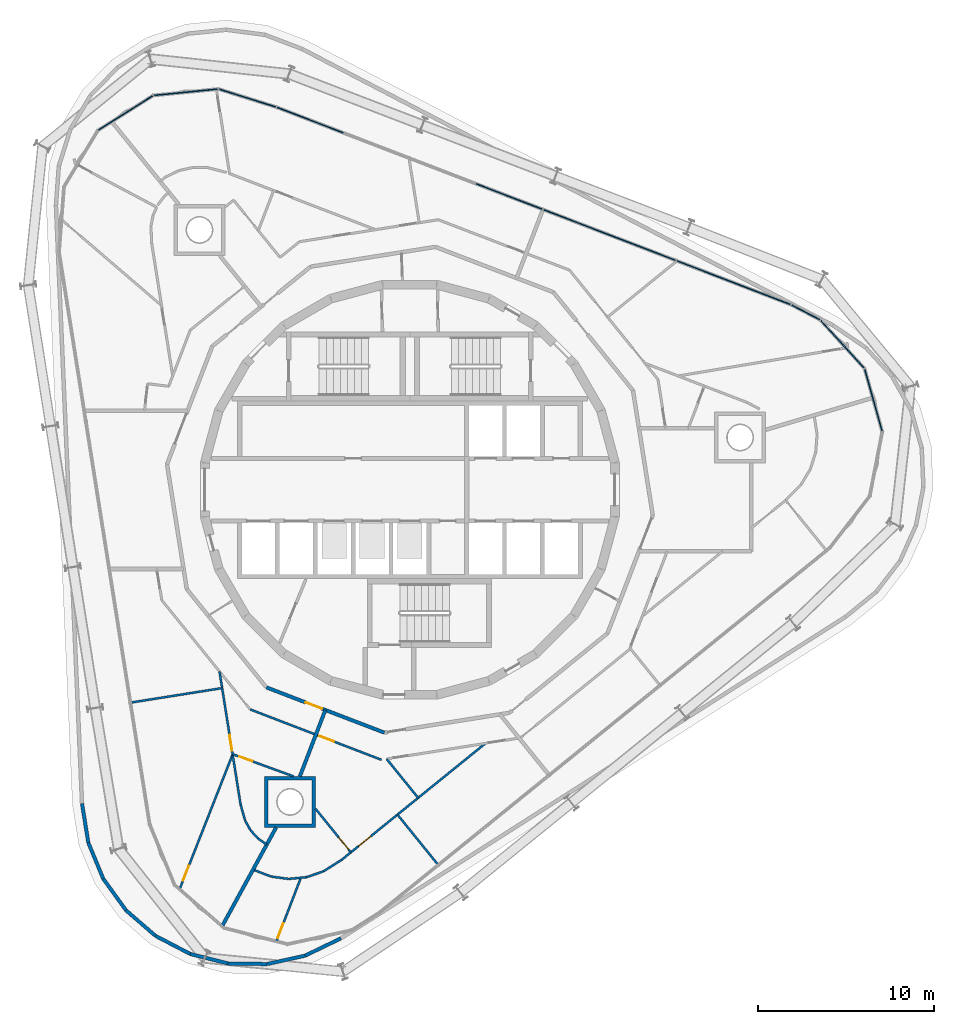
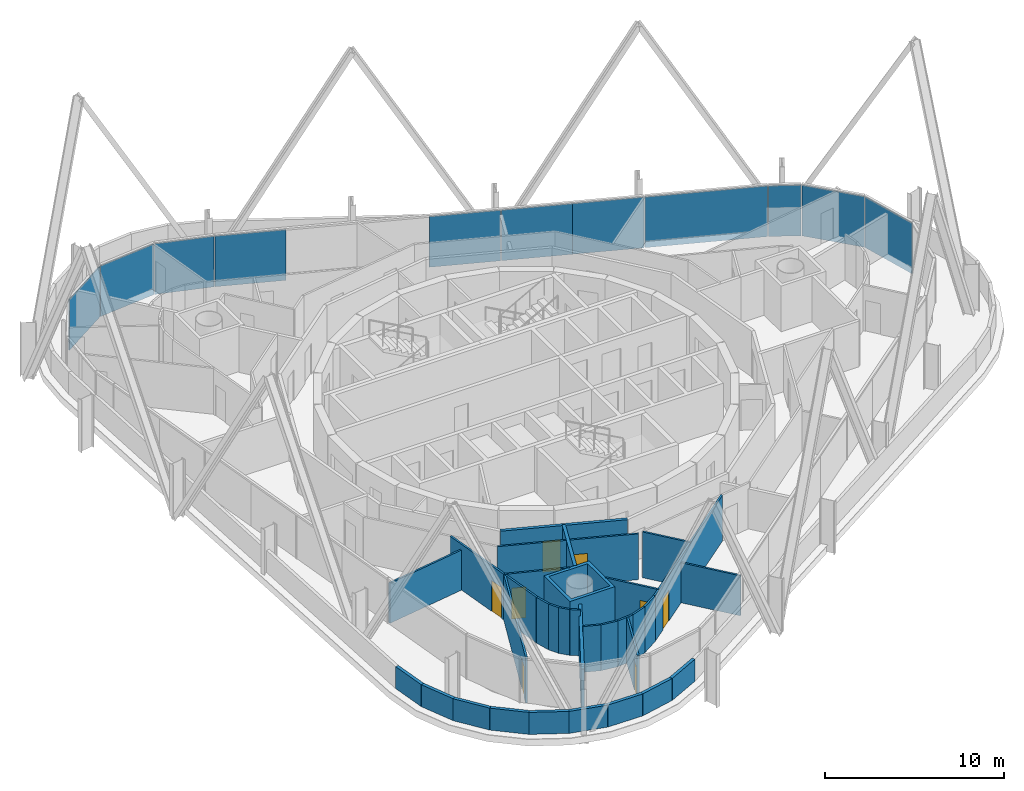
# One storey, part 11 of 19: 32 walls, 11 plates, 8 doors, 8 openings, 3 elements without a shape of their own.
"""IFC4 building model written with IfcOpenShell, lengths in metres."""

from ifc_helpers import new_model, si_unit, direction, frame, frame_2d, origin, origin_2d, place, context, subcontext, project, spatial, polyline, rectangle, outline, extrude, material, layer, layer_set, type_object, element, fill, aggregate, save


model = new_model("IFC4")

# Units and contexts
model_context = context("Model", 3, precision=1e-05, world=origin(), true_north=direction((0.0, 1.0)))
body_context = subcontext(model_context, "Body", "Model", "MODEL_VIEW")
ifc_project = project(units=[si_unit("LENGTHUNIT", "METRE"), si_unit("AREAUNIT", "SQUARE_METRE"), si_unit("VOLUMEUNIT", "CUBIC_METRE"), si_unit("PLANEANGLEUNIT", "RADIAN"), si_unit("MASSUNIT", "GRAM", prefix="KILO")], contexts=[model_context])

# Site, building, storey
site_placement = place(None, origin())
site = spatial("IfcSite", under=ifc_project, at=site_placement, CompositionType="ELEMENT")
building_placement = place(site_placement, origin())
building = spatial("IfcBuilding", under=site, at=building_placement, Name="Spindle Arch Residences", CompositionType="ELEMENT")
storey_placement = place(building_placement, frame((0.0, 0.0, 263.39990234375)))
storey = spatial("IfcBuildingStorey", under=building, at=storey_placement, Name="L67", CompositionType="ELEMENT", Elevation=263.39990234375)

# Curtain wall, plates
ifc_material_1 = material(Name="Aluminium bronze unitised frame with tinted glass", Category="aluminium")
ifc_layer_1 = layer(ifc_material_1, 0.159912109375)
ifc_layer_set_1 = layer_set([ifc_layer_1], Name="CW-D corner wall on the fillet arcs")
curtain_wall_type_1 = type_object("IfcCurtainWallType", Name="CW-D corner wall on the fillet arcs", PredefinedType="NOTDEFINED", material=ifc_layer_set_1)
curtain_wall_1_placement = place(storey_placement, origin())
curtain_wall_1 = element("IfcCurtainWall", 1, at=curtain_wall_1_placement, inside=storey, type_object=curtain_wall_type_1, Name="CW-D L67 run 1", PredefinedType="NOTDEFINED")
ifc_material_2 = material(Name="Tinted double glazing over aluminium faced non-combustible spandrel zone (K0)", Category="aluminium")
ifc_layer_2 = layer(ifc_material_2, 0.06005859375)
ifc_layer_set_2 = layer_set([ifc_layer_2], Name="Unitised glass panel with E 60 spandrel zone")
plate_type = type_object("IfcPlateType", Name="Unitised glass panel with E 60 spandrel zone", PredefinedType="CURTAIN_PANEL", material=ifc_layer_set_2)
plate_1_placement = place(storey_placement, frame((26.32958984375, 5.09423828125, -0.44970703125), z_axis=(0.0, 0.0, 1.0), x_axis=(-0.270040328007, 0.962849012696, 0.0)))
plate_1 = element("IfcPlate", 2, at=plate_1_placement, type_object=plate_type, Name="CW-D unit 03", PredefinedType="CURTAIN_PANEL", context=body_context, shape_type="SweptSolid", body=[
    extrude(rectangle(XDim=3.666748046875, YDim=0.06005859375, at=origin_2d()), origin(), (0.0, 0.0, 1.0), 3.449951171875),
])
plate_2_placement = place(storey_placement, frame((24.571533203125, 8.265869140625, -0.44970703125), z_axis=(0.0, 0.0, 1.0), x_axis=(-0.673442702134, 0.73923942464, 0.0)))
plate_2 = element("IfcPlate", 3, at=plate_2_placement, type_object=plate_type, Name="CW-D unit 04", PredefinedType="CURTAIN_PANEL", context=body_context, shape_type="SweptSolid", body=[
    extrude(rectangle(XDim=3.666748046875, YDim=0.06005859375, at=origin_2d()), origin(), (0.0, 0.0, 1.0), 3.449951171875),
])
plate_3_placement = place(storey_placement, frame((22.48583984375, 10.078857421875, -0.44970703125), z_axis=(0.0, 0.0, 1.0), x_axis=(-0.885663912754, 0.464326860783, 0.0)))
plate_3 = element("IfcPlate", 4, at=plate_3_placement, type_object=plate_type, Name="CW-D unit 05", PredefinedType="CURTAIN_PANEL", context=body_context, shape_type="SweptSolid", body=[
    extrude(rectangle(XDim=1.816162109375, YDim=0.06005859375, at=origin_2d()), origin(), (0.0, 0.0, 1.0), 3.449951171875),
])
plate_4_placement = place(storey_placement, frame((18.392333984375, 11.76708984375, -0.44970703125), z_axis=(0.0, 0.0, 1.0), x_axis=(-0.933580426497, 0.358367949545, 0.0)))
plate_4 = element("IfcPlate", 5, at=plate_4_placement, type_object=plate_type, Name="CW-D unit 06", PredefinedType="CURTAIN_PANEL", context=body_context, shape_type="SweptSolid", body=[
    extrude(rectangle(XDim=6.9296875, YDim=0.06005859375, at=origin_2d()), origin(), (0.0, 0.0, 1.0), 3.449951171875),
])
aggregate(curtain_wall_1, [plate_1, plate_2, plate_3, plate_4])

ifc_material_3 = material(Name="Aluminium bronze unitised frame with tinted glass", Category="aluminium")
ifc_layer_3 = layer(ifc_material_3, 0.159912109375)
ifc_layer_set_3 = layer_set([ifc_layer_3], Name="CW-C typical residential unitised wall")
curtain_wall_type_2 = type_object("IfcCurtainWallType", Name="CW-C typical residential unitised wall", PredefinedType="NOTDEFINED", material=ifc_layer_set_3)
curtain_wall_2_placement = place(storey_placement, origin())
curtain_wall_2 = element("IfcCurtainWall", 6, at=curtain_wall_2_placement, inside=storey, type_object=curtain_wall_type_2, Name="CW-C L67 run 2", PredefinedType="NOTDEFINED")
plate_5_placement = place(storey_placement, frame((13.22314453125, 13.751220703125, -0.44970703125), z_axis=(0.0, 0.0, 1.0), x_axis=(-0.933580426497, 0.358367949545, 0.0)))
plate_5 = element("IfcPlate", 7, at=plate_5_placement, type_object=plate_type, Name="CW-C unit 05A", PredefinedType="CURTAIN_PANEL", context=body_context, shape_type="SweptSolid", body=[
    extrude(rectangle(XDim=4.023681640625, YDim=0.06005859375, at=origin_2d()), origin(), (0.0, 0.0, 1.0), 3.449951171875),
])
plate_6_placement = place(storey_placement, frame((9.466796875, 15.193115234375, -0.44970703125), z_axis=(0.0, 0.0, 1.0), x_axis=(-0.933580426497, 0.358367949545, 0.0)))
plate_6 = element("IfcPlate", 8, at=plate_6_placement, type_object=plate_type, Name="CW-C unit 05B", PredefinedType="CURTAIN_PANEL", context=body_context, shape_type="SweptSolid", body=[
    extrude(rectangle(XDim=4.023681640625, YDim=0.06005859375, at=origin_2d()), origin(), (0.0, 0.0, 1.0), 3.449951171875),
])
plate_7_placement = place(storey_placement, frame((5.654052734375, 16.65673828125, -0.44970703125), z_axis=(0.0, 0.0, 1.0), x_axis=(-0.933580426497, 0.358367949545, 0.0)))
plate_7 = element("IfcPlate", 9, at=plate_7_placement, type_object=plate_type, Name="CW-C unit 06A", PredefinedType="CURTAIN_PANEL", context=body_context, shape_type="SweptSolid", body=[
    extrude(rectangle(XDim=4.023681640625, YDim=0.06005859375, at=origin_2d()), origin(), (0.0, 0.0, 1.0), 3.449951171875),
])
plate_8_placement = place(storey_placement, frame((-5.67138671875, 21.004150390625, -0.44970703125), z_axis=(0.0, 0.0, 1.0), x_axis=(-0.933580426497, 0.358367949545, 0.0)))
plate_8 = element("IfcPlate", 10, at=plate_8_placement, type_object=plate_type, Name="CW-C unit 07B", PredefinedType="CURTAIN_PANEL", context=body_context, shape_type="SweptSolid", body=[
    extrude(rectangle(XDim=4.023681640625, YDim=0.06005859375, at=origin_2d()), origin(), (0.0, 0.0, 1.0), 3.449951171875),
])
aggregate(curtain_wall_2, [plate_5, plate_6, plate_7, plate_8])

curtain_wall_3_placement = place(storey_placement, origin())
curtain_wall_3 = element("IfcCurtainWall", 11, at=curtain_wall_3_placement, inside=storey, type_object=curtain_wall_type_1, Name="CW-D L67 run 3", PredefinedType="NOTDEFINED")
plate_9_placement = place(storey_placement, frame((-9.226318359375, 22.252197265625, -0.44970703125), z_axis=(0.0, 0.0, 1.0), x_axis=(-0.954314920262, 0.298802665594, 0.0)))
plate_9 = element("IfcPlate", 12, at=plate_9_placement, type_object=plate_type, Name="CW-D unit 00", PredefinedType="CURTAIN_PANEL", context=body_context, shape_type="SweptSolid", body=[
    extrude(rectangle(XDim=3.39501953125, YDim=0.06005859375, at=origin_2d()), origin(), (0.0, 0.0, 1.0), 3.449951171875),
])
plate_10_placement = place(storey_placement, frame((-12.729248046875, 22.584228515625, -0.44970703125), z_axis=(0.0, 0.0, 1.0), x_axis=(-0.995113183485, -0.098740832762, 0.0)))
plate_10 = element("IfcPlate", 13, at=plate_10_placement, type_object=plate_type, Name="CW-D unit 01", PredefinedType="CURTAIN_PANEL", context=body_context, shape_type="SweptSolid", body=[
    extrude(rectangle(XDim=3.666748046875, YDim=0.06005859375, at=origin_2d()), origin(), (0.0, 0.0, 1.0), 3.449951171875),
])
plate_11_placement = place(storey_placement, frame((-16.157958984375, 21.403564453125, -0.44970703125), z_axis=(0.0, 0.0, 1.0), x_axis=(-0.844950814707, -0.534844015322, 0.0)))
plate_11 = element("IfcPlate", 14, at=plate_11_placement, type_object=plate_type, Name="CW-D unit 02", PredefinedType="CURTAIN_PANEL", context=body_context, shape_type="SweptSolid", body=[
    extrude(rectangle(XDim=3.666748046875, YDim=0.06005859375, at=origin_2d()), origin(), (0.0, 0.0, 1.0), 3.449951171875),
])
aggregate(curtain_wall_3, [plate_9, plate_10, plate_11])

# Wall, opening, door
ifc_material_4 = material(Name="Calcium silicate block, plastered")
ifc_layer_4 = layer(ifc_material_4, 0.199951171875)
ifc_layer_set_4 = layer_set([ifc_layer_4], Name="Corridor wall 200")
wall_type_1 = type_object("IfcWallType", Name="Corridor wall 200", PredefinedType="STANDARD", material=ifc_layer_set_4)
wall_1_placement = place(storey_placement, frame((-8.154296875, -11.223388671875, 0.0), z_axis=(0.0, 0.0, 1.0), x_axis=(0.93359073609, -0.358341090983, 0.0)))
wall_1 = element("IfcWall", 15, at=wall_1_placement, inside=storey, type_object=wall_type_1, Name="Corridor wall R7A0-W013", PredefinedType="STANDARD", context=body_context, shape_type="SweptSolid", body=[
    extrude(rectangle(XDim=7.180908203125, YDim=0.199951171875, at=frame_2d((3.59033203125, 0.0))), origin(), (0.0, 0.0, 1.0), 3.1201171875),
])
opening_1_placement = place(wall_1_placement, frame((2.390380859375, 0.0, 0.0)))
opening_1 = element("IfcOpeningElement", 16, at=opening_1_placement, cuts=wall_1, Name="Opening R7A0-FD04", PredefinedType="OPENING", context=body_context, shape_type="SweptSolid", body=[
    extrude(rectangle(XDim=1.0, YDim=2.10009765625, at=frame_2d((0.5, 1.050048828125))), frame((0.0, 0.10986328125, 0.0), z_axis=(0.0, -1.0, 0.0), x_axis=(1.0, 0.0, 0.0)), (0.0, 0.0, 1.0), 0.219970703125),
])
ifc_material_5 = material(Name="Timber, fire-resisting door set", Category="wood")
door_type_1 = type_object("IfcDoorType", Name="Flat entrance door 1000x2100", OperationType="NOTDEFINED", PredefinedType="DOOR", material=ifc_material_5)
door_1_placement = place(opening_1_placement, origin())
door_1 = element("IfcDoor", 17, at=door_1_placement, inside=storey, type_object=door_type_1, Name="Flat entrance door R7A0-FD04", OperationType="SINGLE_SWING_RIGHT", OverallHeight=2.10009765625, OverallWidth=1.0, PredefinedType="DOOR", context=body_context, shape_type="SweptSolid", body=[
    extrude(rectangle(XDim=1.0, YDim=2.10009765625, at=frame_2d((0.5, 1.050048828125))), frame((0.0, 0.02490234375, 0.0), z_axis=(0.0, -1.0, 0.0), x_axis=(1.0, 0.0, 0.0)), (0.0, 0.0, 1.0), 0.050048828125),
])
fill(opening_1, door_1)

ifc_material_6 = material(Name="Plasterboard on steel studs", Category="steel")
ifc_layer_5 = layer(ifc_material_6, 0.1201171875)
ifc_layer_set_5 = layer_set([ifc_layer_5], Name="Flat partition 120")
wall_type_2 = type_object("IfcWallType", Name="Flat partition 120", PredefinedType="PARTITIONING", material=ifc_layer_set_5)
wall_2_placement = place(storey_placement, frame((-9.06689453125, -12.4794921875, 0.0), z_axis=(0.0, 0.0, 1.0), x_axis=(0.933579449035, -0.358370495911, 0.0)))
wall_2 = element("IfcWall", 18, at=wall_2_placement, inside=storey, type_object=wall_type_2, Name="Flat partition R7A0-W065", PredefinedType="PARTITIONING", context=body_context, shape_type="SweptSolid", body=[
    extrude(rectangle(XDim=7.98486328125, YDim=0.1201171875, at=frame_2d((3.992431640625, 0.0))), origin(), (0.0, 0.0, 1.0), 3.1201171875),
])
opening_2_placement = place(wall_2_placement, frame((4.1923828125, 0.0, 0.0)))
opening_2 = element("IfcOpeningElement", 19, at=opening_2_placement, cuts=wall_2, Name="Opening R7A0-ID18", PredefinedType="OPENING", context=body_context, shape_type="SweptSolid", body=[
    extrude(rectangle(XDim=0.89990234375, YDim=2.10009765625, at=frame_2d((0.449951171875, 1.050048828125))), frame((0.0, 0.070068359375, 0.0), z_axis=(0.0, -1.0, 0.0), x_axis=(1.0, 0.0, 0.0)), (0.0, 0.0, 1.0), 0.14013671875),
])
ifc_material_7 = material(Name="Timber door set", Category="wood")
door_type_2 = type_object("IfcDoorType", Name="Room door 900x2100", OperationType="NOTDEFINED", PredefinedType="DOOR", material=ifc_material_7)
door_2_placement = place(opening_2_placement, origin())
door_2 = element("IfcDoor", 20, at=door_2_placement, inside=storey, type_object=door_type_2, Name="Room door R7A0-ID18", OperationType="SINGLE_SWING_RIGHT", OverallHeight=2.10009765625, OverallWidth=0.89990234375, PredefinedType="DOOR", context=body_context, shape_type="SweptSolid", body=[
    extrude(rectangle(XDim=0.89990234375, YDim=2.10009765625, at=frame_2d((0.449951171875, 1.050048828125))), frame((0.0, 0.02490234375, 0.0), z_axis=(0.0, -1.0, 0.0), x_axis=(1.0, 0.0, 0.0)), (0.0, 0.0, 1.0), 0.050048828125),
])
fill(opening_2, door_2)

wall_3_placement = place(storey_placement, frame((-9.619384765625, -17.87060546875, 0.0), z_axis=(0.0, 0.0, 1.0), x_axis=(-0.156433255633, 0.987688532146, 0.0)))
wall_3 = element("IfcWall", 21, at=wall_3_placement, inside=storey, type_object=wall_type_2, Name="Flat partition R7A0-W067", PredefinedType="PARTITIONING", context=body_context, shape_type="SweptSolid", body=[
    extrude(rectangle(XDim=7.64404296875, YDim=0.1201171875, at=frame_2d((3.822021484375, 0.0))), origin(), (0.0, 0.0, 1.0), 3.1201171875),
])
opening_3_placement = place(wall_3_placement, frame((3.08740234375, 0.0, 0.0)))
opening_3 = element("IfcOpeningElement", 22, at=opening_3_placement, cuts=wall_3, Name="Opening R7A0-ID16", PredefinedType="OPENING", context=body_context, shape_type="SweptSolid", body=[
    extrude(rectangle(XDim=0.89990234375, YDim=2.10009765625, at=frame_2d((0.449951171875, 1.050048828125))), frame((0.0, 0.070068359375, 0.0), z_axis=(0.0, -1.0, 0.0), x_axis=(1.0, 0.0, 0.0)), (0.0, 0.0, 1.0), 0.14013671875),
])
door_3_placement = place(opening_3_placement, origin())
door_3 = element("IfcDoor", 23, at=door_3_placement, inside=storey, type_object=door_type_2, Name="Room door R7A0-ID16", OperationType="SINGLE_SWING_RIGHT", OverallHeight=2.10009765625, OverallWidth=0.89990234375, PredefinedType="DOOR", context=body_context, shape_type="SweptSolid", body=[
    extrude(rectangle(XDim=0.89990234375, YDim=2.10009765625, at=frame_2d((0.449951171875, 1.050048828125))), frame((0.0, 0.02490234375, 0.0), z_axis=(0.0, -1.0, 0.0), x_axis=(1.0, 0.0, 0.0)), (0.0, 0.0, 1.0), 0.050048828125),
])
fill(opening_3, door_3)

wall_4_placement = place(storey_placement, frame((-13.0673828125, -22.658203125, 0.0), z_axis=(0.0, 0.0, 1.0), x_axis=(0.365785999331, 0.930698986082, 0.0)))
wall_4 = element("IfcWall", 24, at=wall_4_placement, inside=storey, type_object=wall_type_2, Name="Flat partition R7A0-W068", PredefinedType="PARTITIONING", context=body_context, shape_type="SweptSolid", body=[
    extrude(rectangle(XDim=8.1962890625, YDim=0.1201171875, at=frame_2d((4.09814453125, 0.0))), origin(), (0.0, 0.0, 1.0), 3.1201171875),
])
opening_4_placement = place(wall_4_placement, frame((0.5, 0.0, 0.0)))
opening_4 = element("IfcOpeningElement", 25, at=opening_4_placement, cuts=wall_4, Name="Opening R7A0-ID17", PredefinedType="OPENING", context=body_context, shape_type="SweptSolid", body=[
    extrude(rectangle(XDim=0.89990234375, YDim=2.10009765625, at=frame_2d((0.449951171875, 1.050048828125))), frame((0.0, 0.070068359375, 0.0), z_axis=(0.0, -1.0, 0.0), x_axis=(1.0, 0.0, 0.0)), (0.0, 0.0, 1.0), 0.14013671875),
])
door_4_placement = place(opening_4_placement, origin())
door_4 = element("IfcDoor", 26, at=door_4_placement, inside=storey, type_object=door_type_2, Name="Room door R7A0-ID17", OperationType="SINGLE_SWING_RIGHT", OverallHeight=2.10009765625, OverallWidth=0.89990234375, PredefinedType="DOOR", context=body_context, shape_type="SweptSolid", body=[
    extrude(rectangle(XDim=0.89990234375, YDim=2.10009765625, at=frame_2d((0.449951171875, 1.050048828125))), frame((0.0, 0.02490234375, 0.0), z_axis=(0.0, -1.0, 0.0), x_axis=(1.0, 0.0, 0.0)), (0.0, 0.0, 1.0), 0.050048828125),
])
fill(opening_4, door_4)

wall_5_placement = place(storey_placement, frame((-10.0712890625, -15.018798828125, 0.0), z_axis=(0.0, 0.0, 1.0), x_axis=(0.939648507355, -0.34214131967, 0.0)))
wall_5 = element("IfcWall", 27, at=wall_5_placement, inside=storey, type_object=wall_type_2, Name="Flat partition R7A0-W069", PredefinedType="PARTITIONING", context=body_context, shape_type="SweptSolid", body=[
    extrude(rectangle(XDim=3.691162109375, YDim=0.1201171875, at=frame_2d((1.845703125, 0.0))), origin(), (0.0, 0.0, 1.0), 3.1201171875),
])
opening_5_placement = place(wall_5_placement, frame((0.39990234375, 0.0, 0.0)))
opening_5 = element("IfcOpeningElement", 28, at=opening_5_placement, cuts=wall_5, Name="Opening R7A0-BD04", PredefinedType="OPENING", context=body_context, shape_type="SweptSolid", body=[
    extrude(rectangle(XDim=0.800048828125, YDim=2.10009765625, at=frame_2d((0.39990234375, 1.050048828125))), frame((0.0, 0.070068359375, 0.0), z_axis=(0.0, -1.0, 0.0), x_axis=(1.0, 0.0, 0.0)), (0.0, 0.0, 1.0), 0.14013671875),
])
ifc_material_8 = material(Name="Timber door set", Category="wood")
door_type_3 = type_object("IfcDoorType", Name="Bathroom door 800x2100", OperationType="NOTDEFINED", PredefinedType="DOOR", material=ifc_material_8)
door_5_placement = place(opening_5_placement, origin())
door_5 = element("IfcDoor", 29, at=door_5_placement, inside=storey, type_object=door_type_3, Name="Bathroom door R7A0-BD04", OperationType="SINGLE_SWING_RIGHT", OverallHeight=2.10009765625, OverallWidth=0.800048828125, PredefinedType="DOOR", context=body_context, shape_type="SweptSolid", body=[
    extrude(rectangle(XDim=0.800048828125, YDim=2.10009765625, at=frame_2d((0.39990234375, 1.050048828125))), frame((0.0, 0.02490234375, 0.0), z_axis=(0.0, -1.0, 0.0), x_axis=(1.0, 0.0, 0.0)), (0.0, 0.0, 1.0), 0.050048828125),
])
fill(opening_5, door_5)

# Walls
wall_6_placement = place(storey_placement, frame((-8.13037109375, -20.15283203125, 0.0), z_axis=(0.0, 0.0, 1.0), x_axis=(-0.825599905246, 0.564255967145, 0.0)))
element("IfcWall", 30, at=wall_6_placement, inside=storey, type_object=wall_type_2, Name="Flat partition R7A0-W070", PredefinedType="PARTITIONING", context=body_context, shape_type="SweptSolid", body=[
    extrude(rectangle(XDim=0.59326171875, YDim=0.1201171875, at=frame_2d((0.296630859375, 0.0))), origin(), (0.0, 0.0, 1.0), 3.1201171875),
])
for number, where, z_axis, x_axis, name in (
    (31, (-8.6201171875, -19.818115234375, 0.0), (0.0, 0.0, 1.0), (-0.673448438961, 0.739234198385, 0.0), "Flat partition R7A0-W071"),
    (32, (-9.052490234375, -19.343505859375, 0.0), (0.0, 0.0, 1.0), (-0.485126357712, 0.874444061706, 0.0), "Flat partition R7A0-W072"),
):
    element("IfcWall", number, at=place(storey_placement, frame(where, z_axis=z_axis, x_axis=x_axis)), inside=storey, type_object=wall_type_2, Name=name, PredefinedType="PARTITIONING", context=body_context, shape_type="SweptSolid", body=[
        extrude(rectangle(XDim=0.64208984375, YDim=0.1201171875, at=frame_2d((0.321044921875, 0.0))), origin(), (0.0, 0.0, 1.0), 3.1201171875),
    ])
wall_7_placement = place(storey_placement, frame((-9.364013671875, -18.781982421875, 0.0), z_axis=(0.0, 0.0, 1.0), x_axis=(-0.269811707714, 0.962913102196, 0.0)))
element("IfcWall", 33, at=wall_7_placement, inside=storey, type_object=wall_type_2, Name="Flat partition R7A0-W073", PredefinedType="PARTITIONING", context=body_context, shape_type="SweptSolid", body=[
    extrude(rectangle(XDim=0.946533203125, YDim=0.1201171875, at=frame_2d((0.47314453125, 0.0))), origin(), (0.0, 0.0, 1.0), 3.1201171875),
])
wall_8_placement = place(storey_placement, frame((-5.8720703125, -22.006103515625, 0.0), z_axis=(0.0, 0.0, 1.0), x_axis=(-0.99510832942, -0.09878973995, 0.0)))
element("IfcWall", 34, at=wall_8_placement, inside=storey, type_object=wall_type_2, Name="Flat partition R7A0-W075", PredefinedType="PARTITIONING", context=body_context, shape_type="SweptSolid", body=[
    extrude(rectangle(XDim=1.015625, YDim=0.1201171875, at=frame_2d((0.5078125, 0.0))), origin(), (0.0, 0.0, 1.0), 3.1201171875),
])
wall_9_placement = place(storey_placement, frame((-6.8828125, -22.1064453125, 0.0), z_axis=(0.0, 0.0, 1.0), x_axis=(-0.991069822827, 0.133343939799, 0.0)))
element("IfcWall", 35, at=wall_9_placement, inside=storey, type_object=wall_type_2, Name="Flat partition R7A0-W076", PredefinedType="PARTITIONING", context=body_context, shape_type="SweptSolid", body=[
    extrude(rectangle(XDim=1.01611328125, YDim=0.1201171875, at=frame_2d((0.508056640625, 0.0))), origin(), (0.0, 0.0, 1.0), 3.1201171875),
])
wall_10_placement = place(storey_placement, frame((-7.889892578125, -21.970947265625, 0.0), z_axis=(0.0, 0.0, 1.0), x_axis=(-0.933574629243, 0.358383051545, 0.0)))
element("IfcWall", 36, at=wall_10_placement, inside=storey, type_object=wall_type_2, Name="Flat partition R7A0-W077", PredefinedType="PARTITIONING", context=body_context, shape_type="SweptSolid", body=[
    extrude(rectangle(XDim=1.015625, YDim=0.1201171875, at=frame_2d((0.5078125, 0.0))), origin(), (0.0, 0.0, 1.0), 3.1201171875),
])

# Wall, opening, door
wall_11_placement = place(storey_placement, frame((-7.57861328125, -25.6455078125, 0.0), z_axis=(0.0, 0.0, 1.0), x_axis=(0.358314257596, 0.933601035134, 0.0)))
wall_11 = element("IfcWall", 37, at=wall_11_placement, inside=storey, type_object=wall_type_2, Name="Flat partition R7A0-W078", PredefinedType="PARTITIONING", context=body_context, shape_type="SweptSolid", body=[
    extrude(rectangle(XDim=3.864013671875, YDim=0.1201171875, at=frame_2d((1.93212890625, 0.0))), origin(), (0.0, 0.0, 1.0), 3.1201171875),
])
opening_6_placement = place(wall_11_placement, frame((0.199951171875, 0.0, 0.0)))
opening_6 = element("IfcOpeningElement", 38, at=opening_6_placement, cuts=wall_11, Name="Opening R7A0-ID22", PredefinedType="OPENING", context=body_context, shape_type="SweptSolid", body=[
    extrude(rectangle(XDim=0.89990234375, YDim=2.10009765625, at=frame_2d((0.449951171875, 1.050048828125))), frame((0.0, 0.070068359375, 0.0), z_axis=(0.0, -1.0, 0.0), x_axis=(1.0, 0.0, 0.0)), (0.0, 0.0, 1.0), 0.14013671875),
])
door_6_placement = place(opening_6_placement, origin())
door_6 = element("IfcDoor", 39, at=door_6_placement, inside=storey, type_object=door_type_2, Name="Room door R7A0-ID22", OperationType="SINGLE_SWING_LEFT", OverallHeight=2.10009765625, OverallWidth=0.89990234375, PredefinedType="DOOR", context=body_context, shape_type="SweptSolid", body=[
    extrude(rectangle(XDim=0.89990234375, YDim=2.10009765625, at=frame_2d((0.449951171875, 1.050048828125))), frame((0.0, 0.02490234375, 0.0), z_axis=(0.0, -1.0, 0.0), x_axis=(1.0, 0.0, 0.0)), (0.0, 0.0, 1.0), 0.050048828125),
])
fill(opening_6, door_6)

wall_12_placement = place(storey_placement, frame((-3.35400390625, -20.597412109375, 0.0), z_axis=(0.0, 0.0, 1.0), x_axis=(-0.629352711751, 0.777119787556, 0.0)))
wall_12 = element("IfcWall", 40, at=wall_12_placement, inside=storey, type_object=wall_type_2, Name="Flat partition R7A0-W079", PredefinedType="PARTITIONING", context=body_context, shape_type="SweptSolid", body=[
    extrude(rectangle(XDim=3.18212890625, YDim=0.1201171875, at=frame_2d((1.591064453125, 0.0))), origin(), (0.0, 0.0, 1.0), 3.1201171875),
])
opening_7_placement = place(wall_12_placement, frame((0.199951171875, 0.0, 0.0)))
opening_7 = element("IfcOpeningElement", 41, at=opening_7_placement, cuts=wall_12, Name="Opening R7A0-ID20", PredefinedType="OPENING", context=body_context, shape_type="SweptSolid", body=[
    extrude(rectangle(XDim=0.89990234375, YDim=2.10009765625, at=frame_2d((0.449951171875, 1.050048828125))), frame((0.0, 0.070068359375, 0.0), z_axis=(0.0, -1.0, 0.0), x_axis=(1.0, 0.0, 0.0)), (0.0, 0.0, 1.0), 0.14013671875),
])
door_7_placement = place(opening_7_placement, origin())
door_7 = element("IfcDoor", 42, at=door_7_placement, inside=storey, type_object=door_type_2, Name="Room door R7A0-ID20", OperationType="SINGLE_SWING_LEFT", OverallHeight=2.10009765625, OverallWidth=0.89990234375, PredefinedType="DOOR", context=body_context, shape_type="SweptSolid", body=[
    extrude(rectangle(XDim=0.89990234375, YDim=2.10009765625, at=frame_2d((0.449951171875, 1.050048828125))), frame((0.0, 0.02490234375, 0.0), z_axis=(0.0, -1.0, 0.0), x_axis=(1.0, 0.0, 0.0)), (0.0, 0.0, 1.0), 0.050048828125),
])
fill(opening_7, door_7)

# Walls
wall_13_placement = place(storey_placement, frame((-5.8720703125, -22.006103515625, 0.0), z_axis=(0.0, 0.0, 1.0), x_axis=(0.945561838326, 0.325442483247, 0.0)))
element("IfcWall", 43, at=wall_13_placement, inside=storey, type_object=wall_type_2, Name="Flat partition R7A0-W080", PredefinedType="PARTITIONING", context=body_context, shape_type="SweptSolid", body=[
    extrude(rectangle(XDim=1.015625, YDim=0.1201171875, at=frame_2d((0.5078125, 0.0))), origin(), (0.0, 0.0, 1.0), 3.1201171875),
])
wall_14_placement = place(storey_placement, frame((-4.91162109375, -21.675537109375, 0.0), z_axis=(0.0, 0.0, 1.0), x_axis=(0.84494492492, 0.534853319941, 0.0)))
element("IfcWall", 44, at=wall_14_placement, inside=storey, type_object=wall_type_2, Name="Flat partition R7A0-W081", PredefinedType="PARTITIONING", context=body_context, shape_type="SweptSolid", body=[
    extrude(rectangle(XDim=1.2275390625, YDim=0.1201171875, at=frame_2d((0.61376953125, 0.0))), origin(), (0.0, 0.0, 1.0), 3.1201171875),
])

# Wall, opening, door
wall_15_placement = place(storey_placement, frame((-3.87451171875, -21.01904296875, 0.0), z_axis=(0.0, 0.0, 1.0), x_axis=(0.777149096542, 0.629316519523, 0.0)))
wall_15 = element("IfcWall", 45, at=wall_15_placement, inside=storey, type_object=wall_type_2, Name="Flat partition R7A0-W082", PredefinedType="PARTITIONING", context=body_context, shape_type="SweptSolid", body=[
    extrude(rectangle(XDim=10.50830078125, YDim=0.1201171875, at=frame_2d((5.254150390625, 0.0))), origin(), (0.0, 0.0, 1.0), 3.1201171875),
])
opening_8_placement = place(wall_15_placement, frame((1.22998046875, 0.0, 0.0)))
opening_8 = element("IfcOpeningElement", 46, at=opening_8_placement, cuts=wall_15, Name="Opening R7A0-ID21", PredefinedType="OPENING", context=body_context, shape_type="SweptSolid", body=[
    extrude(rectangle(XDim=0.89990234375, YDim=2.10009765625, at=frame_2d((0.449951171875, 1.050048828125))), frame((0.0, 0.070068359375, 0.0), z_axis=(0.0, -1.0, 0.0), x_axis=(1.0, 0.0, 0.0)), (0.0, 0.0, 1.0), 0.14013671875),
])
door_8_placement = place(opening_8_placement, origin())
door_8 = element("IfcDoor", 47, at=door_8_placement, inside=storey, type_object=door_type_2, Name="Room door R7A0-ID21", OperationType="SINGLE_SWING_LEFT", OverallHeight=2.10009765625, OverallWidth=0.89990234375, PredefinedType="DOOR", context=body_context, shape_type="SweptSolid", body=[
    extrude(rectangle(XDim=0.89990234375, YDim=2.10009765625, at=frame_2d((0.449951171875, 1.050048828125))), frame((0.0, 0.02490234375, 0.0), z_axis=(0.0, -1.0, 0.0), x_axis=(1.0, 0.0, 0.0)), (0.0, 0.0, 1.0), 0.050048828125),
])
fill(opening_8, door_8)

# Walls
wall_16_placement = place(storey_placement, frame((0.468994140625, -17.501708984375, 0.0), z_axis=(0.0, 0.0, 1.0), x_axis=(-0.629307025607, 0.777156784389, 0.0)))
element("IfcWall", 48, at=wall_16_placement, inside=storey, type_object=wall_type_2, Name="Flat partition R7A0-W083", PredefinedType="PARTITIONING", context=body_context, shape_type="SweptSolid", body=[
    extrude(rectangle(XDim=2.840087890625, YDim=0.1201171875, at=frame_2d((1.419921875, 0.0))), origin(), (0.0, 0.0, 1.0), 3.1201171875),
])
ifc_material_9 = material(Name="Plasterboard on steel studs", Category="steel")
ifc_layer_6 = layer(ifc_material_9, 0.1201171875)
ifc_layer_set_6 = layer_set([ifc_layer_6], Name="Flat partition 120 under beam 2730")
wall_type_3 = type_object("IfcWallType", Name="Flat partition 120 under beam 2730", PredefinedType="PARTITIONING", material=ifc_layer_set_6)
wall_17_placement = place(storey_placement, frame((-15.801513671875, -12.07958984375, 0.0), z_axis=(0.0, 0.0, 1.0), x_axis=(0.987687857978, 0.156437512135, 0.0)))
element("IfcWall", 49, at=wall_17_placement, inside=storey, type_object=wall_type_3, Name="Flat partition R7A0-W066", PredefinedType="PARTITIONING", context=body_context, shape_type="SweptSolid", body=[
    extrude(rectangle(XDim=5.199951171875, YDim=0.1201171875, at=frame_2d((2.60009765625, 0.0))), origin(), (0.0, 0.0, 1.0), 2.72998046875),
])
wall_18_placement = place(storey_placement, frame((1.559814453125, -21.250732421875, 0.0), z_axis=(0.0, 0.0, 1.0), x_axis=(-0.62934843781, 0.7771232488, 0.0)))
element("IfcWall", 50, at=wall_18_placement, inside=storey, type_object=wall_type_3, Name="Flat partition R7A0-W084", PredefinedType="PARTITIONING", context=body_context, shape_type="SweptSolid", body=[
    extrude(rectangle(XDim=3.599853515625, YDim=0.1201171875, at=frame_2d((1.7998046875, 0.0))), origin(), (0.0, 0.0, 1.0), 2.72998046875),
])
ifc_material_10 = material(Name="Calcium silicate block, plastered")
ifc_layer_7 = layer(ifc_material_10, 0.199951171875)
ifc_layer_set_7 = layer_set([ifc_layer_7], Name="Flat party wall 200")
wall_type_4 = type_object("IfcWallType", Name="Flat party wall 200", PredefinedType="STANDARD", material=ifc_layer_set_7)
wall_19_placement = place(storey_placement, frame((-6.25, -16.28173828125, 0.0), z_axis=(0.0, 0.0, 1.0), x_axis=(0.358351333512, 0.933586804625, 0.0)))
element("IfcWall", 51, at=wall_19_placement, inside=storey, type_object=wall_type_4, Name="Flat party wall R7A0-W027", PredefinedType="STANDARD", context=body_context, shape_type="SweptSolid", body=[
    extrude(rectangle(XDim=4.0400390625, YDim=0.199951171875, at=frame_2d((2.02001953125, 0.0))), origin(), (0.0, 0.0, 1.0), 3.1201171875),
])
ifc_material_11 = material(Name="Calcium silicate block, plastered")
ifc_layer_8 = layer(ifc_material_11, 0.199951171875)
ifc_layer_set_8 = layer_set([ifc_layer_8], Name="Flat party wall 200 under beam 2730")
wall_type_5 = type_object("IfcWallType", Name="Flat party wall 200 under beam 2730", PredefinedType="STANDARD", material=ifc_layer_set_8)
wall_20_placement = place(storey_placement, frame((-10.636962890625, -24.738037109375, 0.0), z_axis=(0.0, 0.0, 1.0), x_axis=(0.479683887596, 0.877441375808, 0.0)))
element("IfcWall", 52, at=wall_20_placement, inside=storey, type_object=wall_type_5, Name="Flat party wall R7A0-W028", PredefinedType="STANDARD", context=body_context, shape_type="SweptSolid", body=[
    extrude(rectangle(XDim=6.33251953125, YDim=0.199951171875, at=frame_2d((3.166259765625, 0.0))), origin(), (0.0, 0.0, 1.0), 2.72998046875),
])
ifc_material_12 = material(Name="Calcium silicate block, plastered")
ifc_layer_9 = layer(ifc_material_12, 0.199951171875)
ifc_layer_set_9 = layer_set([ifc_layer_9], Name="Mega-column casing wall 200")
wall_type_6 = type_object("IfcWallType", Name="Mega-column casing wall 200", PredefinedType="STANDARD", material=ifc_layer_set_9)
wall_21_placement = place(storey_placement, origin())
element("IfcWall", 53, at=wall_21_placement, inside=storey, type_object=wall_type_6, Name="Mega-column casing wall R7A0-WC03", PredefinedType="STANDARD", context=body_context, shape_type="SweptSolid", body=[
    extrude(outline(polyline([(-5.356689453125, -16.28173828125), (-5.356689453125, -19.181640625), (-8.256591796875, -19.181640625), (-8.256591796875, -16.28173828125), (-5.356689453125, -16.28173828125)]), holes=[polyline([(-8.056640625, -18.981689453125), (-5.556640625, -18.981689453125), (-5.556640625, -16.481689453125), (-8.056640625, -16.481689453125), (-8.056640625, -18.981689453125)])]), origin(), (0.0, 0.0, 1.0), 3.1201171875),
])
ifc_material_13 = material(Name="Concrete C40/50", Category="concrete")
ifc_layer_10 = layer(ifc_material_13, 0.199951171875)
ifc_layer_set_10 = layer_set([ifc_layer_10], Name="Roof parapet 1500")
wall_type_7 = type_object("IfcWallType", Name="Roof parapet 1500", PredefinedType="PARAPET", material=ifc_layer_set_10)
wall_22_placement = place(storey_placement, frame((-3.921142578125, -25.482421875, 0.030029296875), z_axis=(0.0, 0.0, 1.0), x_axis=(-0.900085379351, -0.435713564028, 0.0)))
element("IfcWall", 54, at=wall_22_placement, inside=storey, type_object=wall_type_7, Name="Roof parapet L66 1.2", PredefinedType="PARAPET", context=body_context, shape_type="SweptSolid", body=[
    extrude(rectangle(XDim=2.257568359375, YDim=0.199951171875, at=frame_2d((1.12890625, 0.0))), origin(), (0.0, 0.0, 1.0), 1.5),
])
wall_23_placement = place(storey_placement, frame((-5.942138671875, -26.462158203125, 0.030029296875), z_axis=(0.0, 0.0, 1.0), x_axis=(-0.976302939935, -0.21640833966, 0.0)))
element("IfcWall", 55, at=wall_23_placement, inside=storey, type_object=wall_type_7, Name="Roof parapet L66 1.3", PredefinedType="PARAPET", context=body_context, shape_type="SweptSolid", body=[
    extrude(rectangle(XDim=2.22802734375, YDim=0.199951171875, at=frame_2d((1.114013671875, 0.0))), origin(), (0.0, 0.0, 1.0), 1.5),
])
for number, where, z_axis, x_axis, name in (
    (56, (-8.10595703125, -26.943359375, 0.030029296875), (0.0, 0.0, 1.0), (-0.999893819887, 0.014572197901, 0.0), "Roof parapet L66 1.4"),
    (57, (-10.322509765625, -26.912353515625, 0.030029296875), (0.0, 0.0, 1.0), (-0.969579170059, 0.244777925857, 0.0), "Roof parapet L66 1.5"),
    (58, (-12.471923828125, -26.37109375, 0.030029296875), (0.0, 0.0, 1.0), (-0.887033756072, 0.461704576098, 0.0), "Roof parapet L66 1.6"),
    (59, (-14.438720703125, -25.348876953125, 0.030029296875), (0.0, 0.0, 1.0), (-0.756620966428, 0.653853739885, 0.0), "Roof parapet L66 1.7"),
    (60, (-16.11669921875, -23.900390625, 0.030029296875), (0.0, 0.0, 1.0), (-0.585510555226, 0.810664782582, 0.0), "Roof parapet L66 1.8"),
):
    element("IfcWall", number, at=place(storey_placement, frame(where, z_axis=z_axis, x_axis=x_axis)), inside=storey, type_object=wall_type_7, Name=name, PredefinedType="PARAPET", context=body_context, shape_type="SweptSolid", body=[
        extrude(rectangle(XDim=2.228271484375, YDim=0.199951171875, at=frame_2d((1.1142578125, 0.0))), origin(), (0.0, 0.0, 1.0), 1.5),
    ])
wall_24_placement = place(storey_placement, frame((-17.41552734375, -22.10400390625, 0.030029296875), z_axis=(0.0, 0.0, 1.0), x_axis=(-0.382755024623, 0.923849874777, 0.0)))
element("IfcWall", 61, at=wall_24_placement, inside=storey, type_object=wall_type_7, Name="Roof parapet L66 1.9", PredefinedType="PARAPET", context=body_context, shape_type="SweptSolid", body=[
    extrude(rectangle(XDim=2.22802734375, YDim=0.199951171875, at=frame_2d((1.114013671875, 0.0))), origin(), (0.0, 0.0, 1.0), 1.5),
])
wall_25_placement = place(storey_placement, frame((-18.26513671875, -20.056640625, 0.030029296875), z_axis=(0.0, 0.0, 1.0), x_axis=(-0.159293638737, 0.987231247813, 0.0)))
element("IfcWall", 62, at=wall_25_placement, inside=storey, type_object=wall_type_7, Name="Roof parapet L66 1.10", PredefinedType="PARAPET", context=body_context, shape_type="SweptSolid", body=[
    extrude(rectangle(XDim=2.257568359375, YDim=0.199951171875, at=frame_2d((1.12890625, 0.0))), origin(), (0.0, 0.0, 1.0), 1.5),
])

save(model, "model.ifc")
